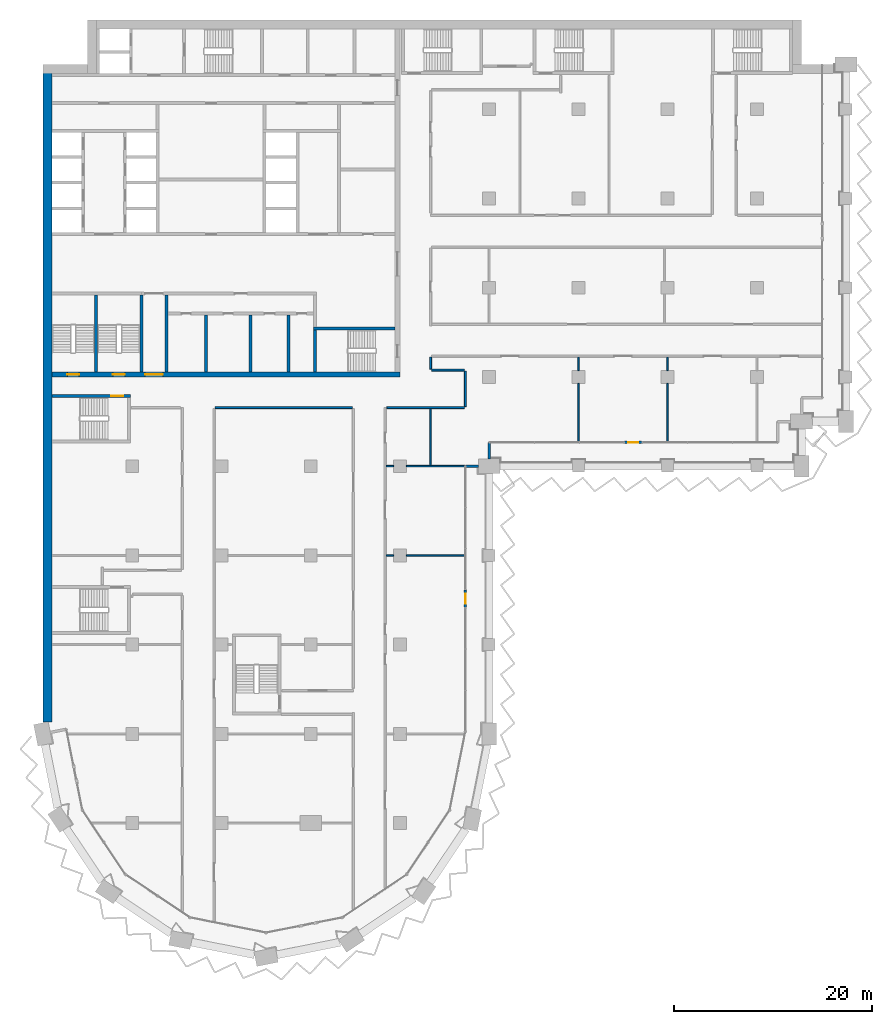
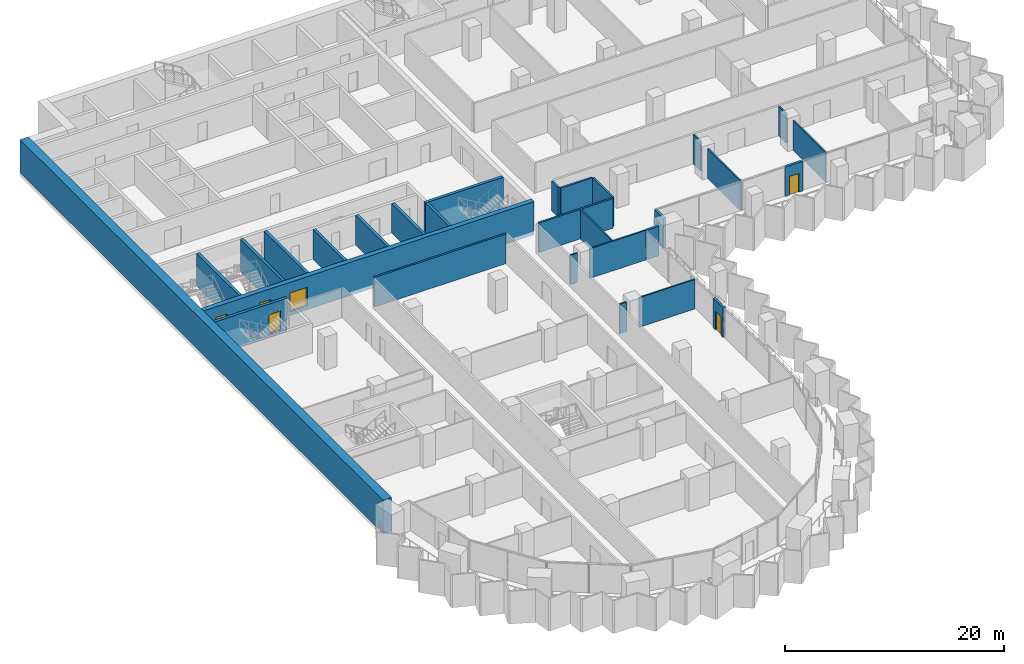
# One storey, part 11 of 23: 29 walls, 6 doors, 6 openings.
"""IFC4 building model written with IfcOpenShell, lengths in metres."""

from ifc_helpers import new_model, si_unit, direction, frame, frame_2d, origin, place, context, subcontext, project, spatial, rectangle, extrude, material, layer, layer_set, type_object, element, fill, save


model = new_model("IFC4")

# Units and contexts
model_context = context("Model", 3, precision=1e-05, world=origin(), true_north=direction((0.0, 1.0)))
body_context = subcontext(model_context, "Body", "Model", "MODEL_VIEW")
ifc_project = project(units=[si_unit("LENGTHUNIT", "METRE"), si_unit("AREAUNIT", "SQUARE_METRE"), si_unit("VOLUMEUNIT", "CUBIC_METRE"), si_unit("PLANEANGLEUNIT", "RADIAN"), si_unit("MASSUNIT", "GRAM", prefix="KILO")], contexts=[model_context])

# Site, building, storey
site_placement = place(None, origin())
site = spatial("IfcSite", under=ifc_project, at=site_placement, CompositionType="ELEMENT")
building_placement = place(site_placement, origin())
building = spatial("IfcBuilding", under=site, at=building_placement, Name="Hunhe Ridgeline Campus", CompositionType="ELEMENT")
storey_placement = place(building_placement, frame((0.0, 0.0, 110.699951171875)))
storey = spatial("IfcBuildingStorey", under=building, at=storey_placement, Name="L27", CompositionType="ELEMENT", Elevation=110.699951171875)

# Walls
ifc_material_1 = material(Name="Masonry concrete blockwork", Category="masonry")
ifc_layer_1 = layer(ifc_material_1, 0.300048828125)
ifc_layer_set_1 = layer_set([ifc_layer_1], Name="Core room partition 300 concrete block")
wall_type_1 = type_object("IfcWallType", Name="Core room partition 300 concrete block", PredefinedType="PARTITIONING", material=ifc_layer_set_1)
wall_1_placement = place(storey_placement, frame((12.449951171875, 63.5, 0.0), z_axis=(0.0, 0.0, 1.0), x_axis=(0.0, 1.0, 0.0)))
element("IfcWall", 1, at=wall_1_placement, inside=storey, type_object=wall_type_1, Name="L27 core partition 43", PredefinedType="PARTITIONING", context=body_context, shape_type="SweptSolid", body=[
    extrude(rectangle(XDim=7.75, YDim=0.300048828125, at=frame_2d((3.875, 0.0))), origin(), (0.0, 0.0, 1.0), 3.300048828125),
])
for number, where, z_axis, x_axis, name in (
    (2, (16.449951171875, 63.5, 0.0), (0.0, 0.0, 1.0), (0.0, 1.0, 0.0), "L27 core partition 45"),
    (3, (20.949951171875, 63.5, 0.0), (0.0, 0.0, 1.0), (0.0, 1.0, 0.0), "L27 core partition 47"),
    (4, (24.75, 63.5, 0.0), (0.0, 0.0, 1.0), (0.0, 1.0, 0.0), "L27 core partition 52"),
):
    element("IfcWall", number, at=place(storey_placement, frame(where, z_axis=z_axis, x_axis=x_axis)), inside=storey, type_object=wall_type_1, Name=name, PredefinedType="PARTITIONING", context=body_context, shape_type="SweptSolid", body=[
        extrude(rectangle(XDim=5.75, YDim=0.300048828125, at=frame_2d((2.875, 0.0))), origin(), (0.0, 0.0, 1.0), 3.300048828125),
    ])

# Wall, openings, doors
ifc_material_2 = material(Name="Concrete C80", Category="concrete")
ifc_layer_2 = layer(ifc_material_2, 0.5)
ifc_layer_set_2 = layer_set([ifc_layer_2], Name="Core wall 500 reinforced concrete C80")
wall_type_2 = type_object("IfcWallType", Name="Core wall 500 reinforced concrete C80", PredefinedType="SOLIDWALL", material=ifc_layer_set_2)
wall_2_placement = place(storey_placement, frame((0.89990234375, 63.25, -0.39990234375), z_axis=(0.0, 0.0, 1.0), x_axis=(1.0, 0.0, 0.0)))
wall_2 = element("IfcWall", 5, at=wall_2_placement, inside=storey, type_object=wall_type_2, Name="L27 core wall 7", PredefinedType="SOLIDWALL", context=body_context, shape_type="SweptSolid", body=[
    extrude(rectangle(XDim=35.10009765625, YDim=0.5, at=frame_2d((17.550048828125, 0.0))), origin(), (0.0, 0.0, 1.0), 3.699951171875),
])
opening_1_placement = place(wall_2_placement, frame((9.39990234375, 0.0, 0.39990234375)))
opening_1 = element("IfcOpeningElement", 6, at=opening_1_placement, cuts=wall_2, Name="Opening CD6", PredefinedType="OPENING", context=body_context, shape_type="SweptSolid", body=[
    extrude(rectangle(XDim=1.800048828125, YDim=2.10009765625, at=frame_2d((0.89990234375, 1.050048828125))), frame((0.0, 0.25, 0.0), z_axis=(0.0, -1.0, 0.0), x_axis=(1.0, 0.0, 0.0)), (0.0, 0.0, 1.0), 0.5),
])
opening_2_placement = place(wall_2_placement, frame((1.550048828125, 0.0, 0.39990234375)))
opening_2 = element("IfcOpeningElement", 7, at=opening_2_placement, cuts=wall_2, Name="Opening CD13", PredefinedType="OPENING", context=body_context, shape_type="SweptSolid", body=[
    extrude(rectangle(XDim=1.199951171875, YDim=2.10009765625, at=frame_2d((0.60009765625, 1.050048828125))), frame((0.0, 0.25, 0.0), z_axis=(0.0, -1.0, 0.0), x_axis=(1.0, 0.0, 0.0)), (0.0, 0.0, 1.0), 0.5),
])
opening_3_placement = place(wall_2_placement, frame((6.14990234375, 0.0, 0.39990234375)))
opening_3 = element("IfcOpeningElement", 8, at=opening_3_placement, cuts=wall_2, Name="Opening CD14", PredefinedType="OPENING", context=body_context, shape_type="SweptSolid", body=[
    extrude(rectangle(XDim=1.199951171875, YDim=2.10009765625, at=frame_2d((0.60009765625, 1.050048828125))), frame((0.0, 0.25, 0.0), z_axis=(0.0, -1.0, 0.0), x_axis=(1.0, 0.0, 0.0)), (0.0, 0.0, 1.0), 0.5),
])
ifc_material_3 = material(Name="Anodised aluminium and glass", Category="aluminium")
door_type_1 = type_object("IfcDoorType", Name="Glazed double door 1800x2100", OperationType="DOUBLE_DOOR_SINGLE_SWING", PredefinedType="DOOR", material=ifc_material_3)
door_1_placement = place(opening_1_placement, frame((1.800048828125, 0.0, 0.0), z_axis=(0.0, 0.0, 1.0), x_axis=(-1.0, 0.0, 0.0)))
door_1 = element("IfcDoor", 9, at=door_1_placement, inside=storey, type_object=door_type_1, Name="L27 door VEST-FLOOR", OperationType="DOUBLE_DOOR_SINGLE_SWING", OverallHeight=2.10009765625, OverallWidth=1.800048828125, PredefinedType="DOOR", context=body_context, shape_type="SweptSolid", body=[
    extrude(rectangle(XDim=1.800048828125, YDim=2.10009765625, at=frame_2d((0.89990234375, 1.050048828125))), frame((0.0, 0.02490234375, 0.0), z_axis=(0.0, -1.0, 0.0), x_axis=(1.0, 0.0, 0.0)), (0.0, 0.0, 1.0), 0.050048828125),
])
fill(opening_1, door_1)
ifc_material_4 = material(Name="Hollow metal fire door leaf")
door_type_2 = type_object("IfcDoorType", Name="Stair door 1200x2100 FD60", OperationType="SINGLE_SWING_LEFT", PredefinedType="DOOR", material=ifc_material_4)
door_2_placement = place(opening_2_placement, frame((1.199951171875, 0.0, 0.0), z_axis=(0.0, 0.0, 1.0), x_axis=(-1.0, 0.0, 0.0)))
door_2 = element("IfcDoor", 10, at=door_2_placement, inside=storey, type_object=door_type_2, Name="L27 door S3", OperationType="SINGLE_SWING_RIGHT", OverallHeight=2.10009765625, OverallWidth=1.199951171875, PredefinedType="DOOR", context=body_context, shape_type="SweptSolid", body=[
    extrude(rectangle(XDim=1.199951171875, YDim=2.10009765625, at=frame_2d((0.60009765625, 1.050048828125))), frame((0.0, 0.02490234375, 0.0), z_axis=(0.0, -1.0, 0.0), x_axis=(1.0, 0.0, 0.0)), (0.0, 0.0, 1.0), 0.050048828125),
])
fill(opening_2, door_2)
door_3_placement = place(opening_3_placement, frame((1.199951171875, 0.0, 0.0), z_axis=(0.0, 0.0, 1.0), x_axis=(-1.0, 0.0, 0.0)))
door_3 = element("IfcDoor", 11, at=door_3_placement, inside=storey, type_object=door_type_2, Name="L27 door S4", OperationType="SINGLE_SWING_LEFT", OverallHeight=2.10009765625, OverallWidth=1.199951171875, PredefinedType="DOOR", context=body_context, shape_type="SweptSolid", body=[
    extrude(rectangle(XDim=1.199951171875, YDim=2.10009765625, at=frame_2d((0.60009765625, 1.050048828125))), frame((0.0, 0.02490234375, 0.0), z_axis=(0.0, -1.0, 0.0), x_axis=(1.0, 0.0, 0.0)), (0.0, 0.0, 1.0), 0.050048828125),
])
fill(opening_3, door_3)

# Walls
ifc_material_5 = material(Name="Concrete C30", Category="concrete")
ifc_layer_3 = layer(ifc_material_5, 0.25)
ifc_layer_set_3 = layer_set([ifc_layer_3], Name="Corner return wall 250 Concrete C30")
wall_type_3 = type_object("IfcWallType", Name="Corner return wall 250 Concrete C30", PredefinedType="SOLIDWALL", material=ifc_layer_set_3)
wall_3_placement = place(storey_placement, frame((42.599365234375, 54.000732421875, 0.0), z_axis=(0.0, 0.0, 1.0), x_axis=(0.99999998238, 0.000187722918, 0.0)))
element("IfcWall", 12, at=wall_3_placement, inside=storey, type_object=wall_type_3, Name="Corner return wall 2", PredefinedType="SOLIDWALL", context=body_context, shape_type="SweptSolid", body=[
    extrude(rectangle(XDim=1.300537109375, YDim=0.25, at=frame_2d((0.650390625, 0.0))), origin(), (0.0, 0.0, 1.0), 3.300048828125),
])
wall_4_placement = place(storey_placement, frame((44.999267578125, 54.75, 0.0), z_axis=(0.0, 0.0, 1.0), x_axis=(0.000443655679, 0.999999901585, 0.0)))
element("IfcWall", 13, at=wall_4_placement, inside=storey, type_object=wall_type_3, Name="Corner return wall 3", PredefinedType="SOLIDWALL", context=body_context, shape_type="SweptSolid", body=[
    extrude(rectangle(XDim=1.65087890625, YDim=0.25, at=frame_2d((0.825439453125, 0.0))), origin(), (0.0, 0.0, 1.0), 3.300048828125),
])
ifc_material_6 = material(Name="Gypsum board partition")
ifc_layer_4 = layer(ifc_material_6, 0.199951171875)
ifc_layer_set_4 = layer_set([ifc_layer_4], Name="Corridor partition 200 gypsum board on steel studs")
wall_type_4 = type_object("IfcWallType", Name="Corridor partition 200 gypsum board on steel studs", PredefinedType="PARTITIONING", material=ifc_layer_set_4)
wall_5_placement = place(storey_placement, frame((31.199951171875, 59.89990234375, 0.0), z_axis=(0.0, 0.0, 1.0), x_axis=(-1.0, 0.0, 0.0)))
element("IfcWall", 14, at=wall_5_placement, inside=storey, type_object=wall_type_4, Name="F-L27-wall-029", PredefinedType="PARTITIONING", context=body_context, shape_type="SweptSolid", body=[
    extrude(rectangle(XDim=13.849853515625, YDim=0.199951171875, at=frame_2d((6.9248046875, 0.0))), origin(), (0.0, 0.0, 1.0), 3.300048828125),
])
wall_6_placement = place(storey_placement, frame((42.5, 59.89990234375, 0.0), z_axis=(0.0, 0.0, 1.0), x_axis=(-1.0, 0.0, 0.0)))
element("IfcWall", 15, at=wall_6_placement, inside=storey, type_object=wall_type_4, Name="F-L27-wall-030", PredefinedType="PARTITIONING", context=body_context, shape_type="SweptSolid", body=[
    extrude(rectangle(XDim=7.828369140625, YDim=0.199951171875, at=frame_2d((3.9140625, 0.0))), origin(), (0.0, 0.0, 1.0), 3.300048828125),
])
wall_7_placement = place(storey_placement, frame((39.199951171875, 63.699951171875, 0.0), z_axis=(0.0, 0.0, 1.0), x_axis=(1.0, 0.0, 0.0)))
element("IfcWall", 16, at=wall_7_placement, inside=storey, type_object=wall_type_4, Name="F-L27-wall-031", PredefinedType="PARTITIONING", context=body_context, shape_type="SweptSolid", body=[
    extrude(rectangle(XDim=3.300048828125, YDim=0.199951171875, at=frame_2d((1.64990234375, 0.0))), origin(), (0.0, 0.0, 1.0), 3.300048828125),
])
wall_8_placement = place(storey_placement, frame((39.10009765625, 65.0, 0.0), z_axis=(0.0, 0.0, 1.0), x_axis=(0.0, -1.0, 0.0)))
element("IfcWall", 17, at=wall_8_placement, inside=storey, type_object=wall_type_4, Name="F-L27-wall-048", PredefinedType="PARTITIONING", context=body_context, shape_type="SweptSolid", body=[
    extrude(rectangle(XDim=1.199951171875, YDim=0.199951171875, at=frame_2d((0.60009765625, 0.0))), origin(), (0.0, 0.0, 1.0), 3.300048828125),
])
wall_9_placement = place(storey_placement, frame((42.60009765625, 63.60009765625, 0.0), z_axis=(0.0, 0.0, 1.0), x_axis=(0.0, -1.0, 0.0)))
element("IfcWall", 18, at=wall_9_placement, inside=storey, type_object=wall_type_4, Name="F-L27-wall-051", PredefinedType="PARTITIONING", context=body_context, shape_type="SweptSolid", body=[
    extrude(rectangle(XDim=3.60009765625, YDim=0.199951171875, at=frame_2d((1.800048828125, 0.0))), origin(), (0.0, 0.0, 1.0), 3.300048828125),
])

# Wall, opening, door
ifc_layer_5 = layer(ifc_material_5, 0.25)
ifc_layer_set_5 = layer_set([ifc_layer_5], Name="Loggia door pier wall 250 Concrete C30")
wall_type_5 = type_object("IfcWallType", Name="Loggia door pier wall 250 Concrete C30", PredefinedType="SOLIDWALL", material=ifc_layer_set_5)
wall_10_placement = place(storey_placement, frame((42.59912109375, 39.718505859375, 0.0), z_axis=(0.0, 0.0, 1.0), x_axis=(0.0, 1.0, 0.0)))
wall_10 = element("IfcWall", 19, at=wall_10_placement, inside=storey, type_object=wall_type_5, Name="Loggia door pier 3", PredefinedType="SOLIDWALL", context=body_context, shape_type="SweptSolid", body=[
    extrude(rectangle(XDim=1.800048828125, YDim=0.25, at=frame_2d((0.89990234375, 0.0))), origin(), (0.0, 0.0, 1.0), 3.300048828125),
])
opening_4_placement = place(wall_10_placement, frame((0.39990234375, 0.0, 0.0)))
opening_4 = element("IfcOpeningElement", 20, at=opening_4_placement, cuts=wall_10, Name="Opening BD205", PredefinedType="OPENING", context=body_context, shape_type="SweptSolid", body=[
    extrude(rectangle(XDim=1.0, YDim=2.10009765625, at=frame_2d((0.5, 1.050048828125))), frame((0.0, 0.125, 0.0), z_axis=(0.0, -1.0, 0.0), x_axis=(1.0, 0.0, 0.0)), (0.0, 0.0, 1.0), 0.25),
])
ifc_material_7 = material(Name="Aluminium 6063", Category="aluminium")
door_type_3 = type_object("IfcDoorType", Name="Loggia glazed door 1000x2100", OperationType="NOTDEFINED", PredefinedType="DOOR", material=ifc_material_7)
door_4_placement = place(opening_4_placement, frame((1.0, 0.0, 0.0), z_axis=(0.0, 0.0, 1.0), x_axis=(-1.0, 0.0, 0.0)))
door_4 = element("IfcDoor", 21, at=door_4_placement, inside=storey, type_object=door_type_3, Name="Loggia door BD205", OperationType="SINGLE_SWING_RIGHT", OverallHeight=2.10009765625, OverallWidth=1.0, PredefinedType="DOOR", context=body_context, shape_type="SweptSolid", body=[
    extrude(rectangle(XDim=1.0, YDim=2.10009765625, at=frame_2d((0.5, 1.050048828125))), frame((0.0, 0.02490234375, 0.0), z_axis=(0.0, -1.0, 0.0), x_axis=(1.0, 0.0, 0.0)), (0.0, 0.0, 1.0), 0.050048828125),
])
fill(opening_4, door_4)

wall_11_placement = place(storey_placement, frame((58.6494140625, 56.40087890625, 0.0), z_axis=(0.0, 0.0, 1.0), x_axis=(1.0, 0.0, 0.0)))
wall_11 = element("IfcWall", 22, at=wall_11_placement, inside=storey, type_object=wall_type_5, Name="Loggia door pier 4", PredefinedType="SOLIDWALL", context=body_context, shape_type="SweptSolid", body=[
    extrude(rectangle(XDim=1.800048828125, YDim=0.25, at=frame_2d((0.89990234375, 0.0))), origin(), (0.0, 0.0, 1.0), 3.300048828125),
])
opening_5_placement = place(wall_11_placement, frame((0.39990234375, 0.0, 0.0)))
opening_5 = element("IfcOpeningElement", 23, at=opening_5_placement, cuts=wall_11, Name="Opening BD206", PredefinedType="OPENING", context=body_context, shape_type="SweptSolid", body=[
    extrude(rectangle(XDim=1.0, YDim=2.10009765625, at=frame_2d((0.5, 1.050048828125))), frame((0.0, 0.125, 0.0), z_axis=(0.0, -1.0, 0.0), x_axis=(1.0, 0.0, 0.0)), (0.0, 0.0, 1.0), 0.25),
])
door_5_placement = place(opening_5_placement, frame((1.0, 0.0, 0.0), z_axis=(0.0, 0.0, 1.0), x_axis=(-1.0, 0.0, 0.0)))
door_5 = element("IfcDoor", 24, at=door_5_placement, inside=storey, type_object=door_type_3, Name="Loggia door BD206", OperationType="SINGLE_SWING_LEFT", OverallHeight=2.10009765625, OverallWidth=1.0, PredefinedType="DOOR", context=body_context, shape_type="SweptSolid", body=[
    extrude(rectangle(XDim=1.0, YDim=2.10009765625, at=frame_2d((0.5, 1.050048828125))), frame((0.0, 0.02490234375, 0.0), z_axis=(0.0, -1.0, 0.0), x_axis=(1.0, 0.0, 0.0)), (0.0, 0.0, 1.0), 0.050048828125),
])
fill(opening_5, door_5)

# Walls
ifc_layer_6 = layer(ifc_material_6, 0.14990234375)
ifc_layer_set_6 = layer_set([ifc_layer_6], Name="Room partition 150 gypsum board on steel studs")
wall_type_6 = type_object("IfcWallType", Name="Room partition 150 gypsum board on steel studs", PredefinedType="PARTITIONING", material=ifc_layer_set_6)
wall_12_placement = place(storey_placement, frame((34.60009765625, 45.0, 0.0), z_axis=(0.0, 0.0, 1.0), x_axis=(1.0, 0.0, 0.0)))
element("IfcWall", 25, at=wall_12_placement, inside=storey, type_object=wall_type_6, Name="F-L27-wall-024", PredefinedType="PARTITIONING", context=body_context, shape_type="SweptSolid", body=[
    extrude(rectangle(XDim=0.75, YDim=0.14990234375, at=frame_2d((0.375, 0.0))), origin(), (0.0, 0.0, 1.0), 3.300048828125),
])
wall_13_placement = place(storey_placement, frame((36.64990234375, 45.0, 0.0), z_axis=(0.0, 0.0, 1.0), x_axis=(1.0, 0.0, 0.0)))
element("IfcWall", 26, at=wall_13_placement, inside=storey, type_object=wall_type_6, Name="F-L27-wall-025", PredefinedType="PARTITIONING", context=body_context, shape_type="SweptSolid", body=[
    extrude(rectangle(XDim=5.895263671875, YDim=0.14990234375, at=frame_2d((2.94775390625, 0.0))), origin(), (0.0, 0.0, 1.0), 3.300048828125),
])
wall_14_placement = place(storey_placement, frame((34.60009765625, 54.0, 0.0), z_axis=(0.0, 0.0, 1.0), x_axis=(1.0, 0.0, 0.0)))
element("IfcWall", 27, at=wall_14_placement, inside=storey, type_object=wall_type_6, Name="F-L27-wall-026", PredefinedType="PARTITIONING", context=body_context, shape_type="SweptSolid", body=[
    extrude(rectangle(XDim=0.75, YDim=0.14990234375, at=frame_2d((0.375, 0.0))), origin(), (0.0, 0.0, 1.0), 3.300048828125),
])
wall_15_placement = place(storey_placement, frame((36.64990234375, 54.0, 0.0), z_axis=(0.0, 0.0, 1.0), x_axis=(1.0, 0.0, 0.0)))
element("IfcWall", 28, at=wall_15_placement, inside=storey, type_object=wall_type_6, Name="F-L27-wall-027", PredefinedType="PARTITIONING", context=body_context, shape_type="SweptSolid", body=[
    extrude(rectangle(XDim=5.8955078125, YDim=0.14990234375, at=frame_2d((2.94775390625, 0.0))), origin(), (0.0, 0.0, 1.0), 3.300048828125),
])
wall_16_placement = place(storey_placement, frame((39.10009765625, 59.800048828125, 0.0), z_axis=(0.0, 0.0, 1.0), x_axis=(0.0, -1.0, 0.0)))
element("IfcWall", 29, at=wall_16_placement, inside=storey, type_object=wall_type_6, Name="F-L27-wall-047", PredefinedType="PARTITIONING", context=body_context, shape_type="SweptSolid", body=[
    extrude(rectangle(XDim=5.72509765625, YDim=0.14990234375, at=frame_2d((2.862548828125, 0.0))), origin(), (0.0, 0.0, 1.0), 3.300048828125),
])
wall_17_placement = place(storey_placement, frame((54.0, 62.35009765625, 0.0), z_axis=(0.0, 0.0, 1.0), x_axis=(0.0, -1.0, 0.0)))
element("IfcWall", 30, at=wall_17_placement, inside=storey, type_object=wall_type_6, Name="F-L27-wall-057", PredefinedType="PARTITIONING", context=body_context, shape_type="SweptSolid", body=[
    extrude(rectangle(XDim=5.89501953125, YDim=0.14990234375, at=frame_2d((2.947509765625, 0.0))), origin(), (0.0, 0.0, 1.0), 3.300048828125),
])
wall_18_placement = place(storey_placement, frame((54.0, 65.0, 0.0), z_axis=(0.0, 0.0, 1.0), x_axis=(0.0, -1.0, 0.0)))
element("IfcWall", 31, at=wall_18_placement, inside=storey, type_object=wall_type_6, Name="F-L27-wall-058", PredefinedType="PARTITIONING", context=body_context, shape_type="SweptSolid", body=[
    extrude(rectangle(XDim=1.35009765625, YDim=0.14990234375, at=frame_2d((0.675048828125, 0.0))), origin(), (0.0, 0.0, 1.0), 3.300048828125),
])
wall_19_placement = place(storey_placement, frame((63.0, 62.35009765625, 0.0), z_axis=(0.0, 0.0, 1.0), x_axis=(0.0, -1.0, 0.0)))
element("IfcWall", 32, at=wall_19_placement, inside=storey, type_object=wall_type_6, Name="F-L27-wall-062", PredefinedType="PARTITIONING", context=body_context, shape_type="SweptSolid", body=[
    extrude(rectangle(XDim=5.89501953125, YDim=0.14990234375, at=frame_2d((2.947509765625, 0.0))), origin(), (0.0, 0.0, 1.0), 3.300048828125),
])
wall_20_placement = place(storey_placement, frame((63.0, 65.0, 0.0), z_axis=(0.0, 0.0, 1.0), x_axis=(0.0, -1.0, 0.0)))
element("IfcWall", 33, at=wall_20_placement, inside=storey, type_object=wall_type_6, Name="F-L27-wall-063", PredefinedType="PARTITIONING", context=body_context, shape_type="SweptSolid", body=[
    extrude(rectangle(XDim=1.35009765625, YDim=0.14990234375, at=frame_2d((0.675048828125, 0.0))), origin(), (0.0, 0.0, 1.0), 3.300048828125),
])
ifc_material_8 = material(Name="Concrete C70", Category="concrete")
ifc_layer_7 = layer(ifc_material_8, 0.89990234375)
ifc_layer_set_7 = layer_set([ifc_layer_7], Name="Spine wall 900 Concrete C70")
wall_type_7 = type_object("IfcWallType", Name="Spine wall 900 Concrete C70", PredefinedType="SHEAR", material=ifc_layer_set_7)
wall_21_placement = place(storey_placement, frame((0.449951171875, 94.5, 0.0), z_axis=(0.0, 0.0, 1.0), x_axis=(0.0, -1.0, 0.0)))
element("IfcWall", 34, at=wall_21_placement, inside=storey, type_object=wall_type_7, Name="Spine wall SW2-1 L27", PredefinedType="SHEAR", context=body_context, shape_type="SweptSolid", body=[
    extrude(rectangle(XDim=66.288818359375, YDim=0.89990234375, at=frame_2d((33.14453125, 0.0))), origin(), (0.0, 0.0, 1.0), 3.699951171875),
])

# Wall, opening, door
ifc_layer_8 = layer(ifc_material_2, 0.300048828125)
ifc_layer_set_8 = layer_set([ifc_layer_8], Name="Stair wall 300 reinforced concrete C80")
wall_type_8 = type_object("IfcWallType", Name="Stair wall 300 reinforced concrete C80", PredefinedType="SOLIDWALL", material=ifc_layer_set_8)
wall_22_placement = place(storey_placement, frame((0.89990234375, 61.10009765625, -0.39990234375), z_axis=(0.0, 0.0, 1.0), x_axis=(1.0, 0.0, 0.0)))
wall_22 = element("IfcWall", 35, at=wall_22_placement, inside=storey, type_object=wall_type_8, Name="L27 core wall 6", PredefinedType="SOLIDWALL", context=body_context, shape_type="SweptSolid", body=[
    extrude(rectangle(XDim=7.900146484375, YDim=0.300048828125, at=frame_2d((3.9501953125, 0.0))), origin(), (0.0, 0.0, 1.0), 3.699951171875),
])
opening_6_placement = place(wall_22_placement, frame((6.0, 0.0, 0.39990234375)))
opening_6 = element("IfcOpeningElement", 36, at=opening_6_placement, cuts=wall_22, Name="Opening CD22", PredefinedType="OPENING", context=body_context, shape_type="SweptSolid", body=[
    extrude(rectangle(XDim=1.199951171875, YDim=2.10009765625, at=frame_2d((0.60009765625, 1.050048828125))), frame((0.0, 0.14990234375, 0.0), z_axis=(0.0, -1.0, 0.0), x_axis=(1.0, 0.0, 0.0)), (0.0, 0.0, 1.0), 0.300048828125),
])
door_6_placement = place(opening_6_placement, origin())
door_6 = element("IfcDoor", 37, at=door_6_placement, inside=storey, type_object=door_type_2, Name="L27 door W2", OperationType="SINGLE_SWING_LEFT", OverallHeight=2.10009765625, OverallWidth=1.199951171875, PredefinedType="DOOR", context=body_context, shape_type="SweptSolid", body=[
    extrude(rectangle(XDim=1.199951171875, YDim=2.10009765625, at=frame_2d((0.60009765625, 1.050048828125))), frame((0.0, 0.02490234375, 0.0), z_axis=(0.0, -1.0, 0.0), x_axis=(1.0, 0.0, 0.0)), (0.0, 0.0, 1.0), 0.050048828125),
])
fill(opening_6, door_6)

# Walls
wall_23_placement = place(storey_placement, frame((27.300048828125, 67.89990234375, -0.39990234375), z_axis=(0.0, 0.0, 1.0), x_axis=(1.0, 0.0, 0.0)))
element("IfcWall", 38, at=wall_23_placement, inside=storey, type_object=wall_type_8, Name="L27 core wall 8", PredefinedType="SOLIDWALL", context=body_context, shape_type="SweptSolid", body=[
    extrude(rectangle(XDim=8.199951171875, YDim=0.300048828125, at=frame_2d((4.10009765625, 0.0))), origin(), (0.0, 0.0, 1.0), 3.699951171875),
])
for number, where, z_axis, x_axis, name in (
    (39, (5.35009765625, 63.5, -0.39990234375), (0.0, 0.0, 1.0), (0.0, 1.0, 0.0), "L27 core wall 34"),
    (40, (9.949951171875, 63.5, -0.39990234375), (0.0, 0.0, 1.0), (0.0, 1.0, 0.0), "L27 core wall 40"),
):
    element("IfcWall", number, at=place(storey_placement, frame(where, z_axis=z_axis, x_axis=x_axis)), inside=storey, type_object=wall_type_8, Name=name, PredefinedType="SOLIDWALL", context=body_context, shape_type="SweptSolid", body=[
        extrude(rectangle(XDim=7.75, YDim=0.300048828125, at=frame_2d((3.875, 0.0))), origin(), (0.0, 0.0, 1.0), 3.699951171875),
    ])
wall_24_placement = place(storey_placement, frame((27.449951171875, 63.5, -0.39990234375), z_axis=(0.0, 0.0, 1.0), x_axis=(0.0, 1.0, 0.0)))
element("IfcWall", 41, at=wall_24_placement, inside=storey, type_object=wall_type_8, Name="L27 core wall 55", PredefinedType="SOLIDWALL", context=body_context, shape_type="SweptSolid", body=[
    extrude(rectangle(XDim=4.25, YDim=0.300048828125, at=frame_2d((2.125, 0.0))), origin(), (0.0, 0.0, 1.0), 3.699951171875),
])

save(model, "model.ifc")
